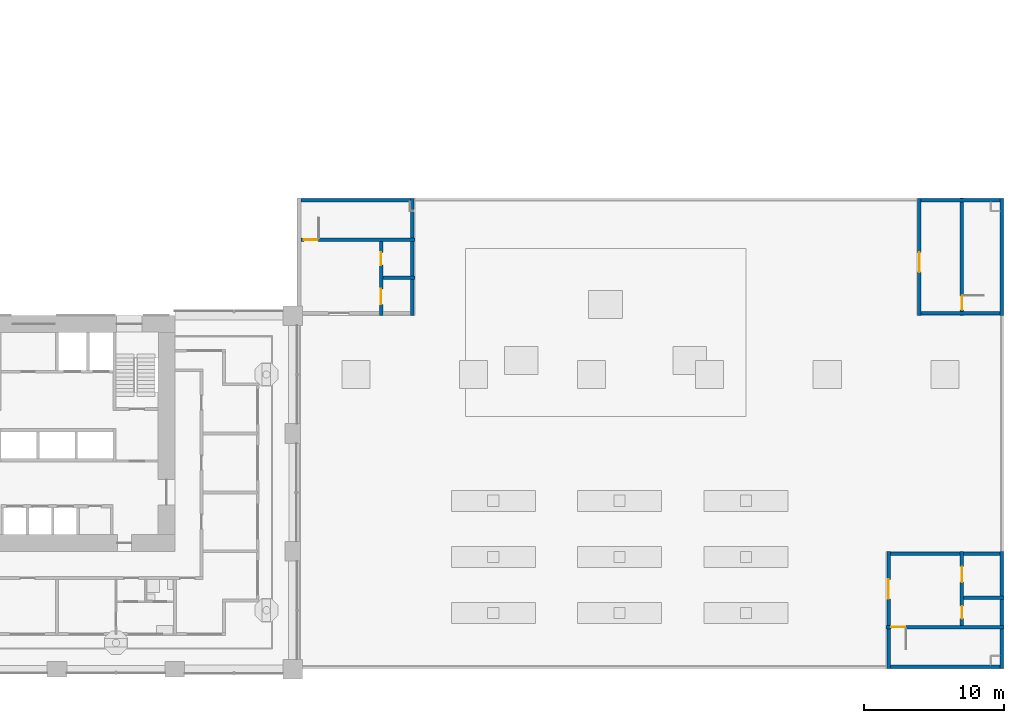
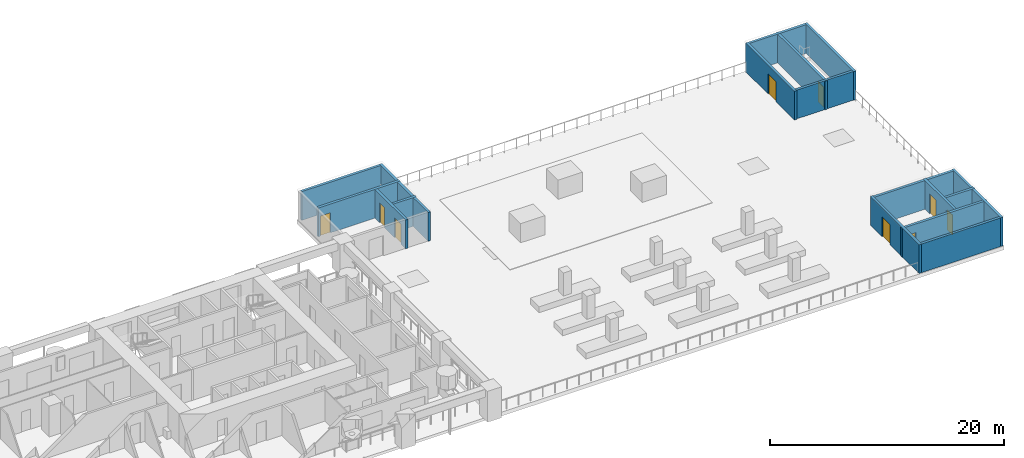
# One storey, part 11 of 23: 17 walls, 9 doors, 9 openings.
"""IFC4 building model written with IfcOpenShell, lengths in metres."""

from ifc_helpers import new_model, si_unit, direction, frame, frame_2d, origin, place, context, subcontext, project, spatial, rectangle, extrude, material, layer, layer_set, type_object, element, fill, save


model = new_model("IFC4")

# Units and contexts
model_context = context("Model", 3, precision=1e-05, world=origin(), true_north=direction((0.0, 1.0)))
body_context = subcontext(model_context, "Body", "Model", "MODEL_VIEW")
ifc_project = project(units=[si_unit("LENGTHUNIT", "METRE"), si_unit("AREAUNIT", "SQUARE_METRE"), si_unit("VOLUMEUNIT", "CUBIC_METRE"), si_unit("PLANEANGLEUNIT", "RADIAN"), si_unit("MASSUNIT", "GRAM", prefix="KILO")], contexts=[model_context])

# Site, building, storey
site_placement = place(None, origin())
site = spatial("IfcSite", under=ifc_project, at=site_placement, CompositionType="ELEMENT")
building_placement = place(site_placement, origin())
building = spatial("IfcBuilding", under=site, at=building_placement, Name="Vermilion Gate Residences", CompositionType="ELEMENT")
storey_placement = place(building_placement, frame((0.0, 0.0, 25.199951171875)))
storey = spatial("IfcBuildingStorey", under=building, at=storey_placement, Name="L04", CompositionType="ELEMENT", Elevation=25.199951171875)

# Wall
ifc_material_1 = material(Name="Concrete C45", Category="concrete")
ifc_layer = layer(ifc_material_1, 0.25)
ifc_layer_set = layer_set([ifc_layer], Name="RC CORE WALL 250 C45 (MARKET HALL)")
wall_type = type_object("IfcWallType", Name="RC CORE WALL 250 C45 (MARKET HALL)", PredefinedType="SHEAR", material=ifc_layer_set)
wall_1_placement = place(storey_placement, frame((109.800048828125, 0.175048828125, 0.0), z_axis=(0.0, 0.0, 1.0), x_axis=(1.0, 0.0, 0.0)))
element("IfcWall", 1, at=wall_1_placement, inside=storey, type_object=wall_type, Name="Core wall L04-1", PredefinedType="SHEAR", context=body_context, shape_type="SweptSolid", body=[
    extrude(rectangle(XDim=7.800048828125, YDim=0.25, at=frame_2d((3.89990234375, 0.0))), origin(), (0.0, 0.0, 1.0), 3.0),
])

# Wall, opening, door
wall_2_placement = place(storey_placement, frame((109.5, 3.0, 0.0), z_axis=(0.0, 0.0, 1.0), x_axis=(1.0, 0.0, 0.0)))
wall_2 = element("IfcWall", 2, at=wall_2_placement, inside=storey, type_object=wall_type, Name="Core wall L04-2", PredefinedType="SHEAR", context=body_context, shape_type="SweptSolid", body=[
    extrude(rectangle(XDim=8.39990234375, YDim=0.25, at=frame_2d((4.199951171875, 0.0))), origin(), (0.0, 0.0, 1.0), 3.0),
])
opening_1_placement = place(wall_2_placement, frame((0.35009765625, 0.0, 0.0)))
opening_1 = element("IfcOpeningElement", 3, at=opening_1_placement, cuts=wall_2, Name="Opening DH04005", PredefinedType="OPENING", context=body_context, shape_type="SweptSolid", body=[
    extrude(rectangle(XDim=1.0, YDim=2.10009765625, at=frame_2d((0.5, 1.050048828125))), frame((0.0, 0.135009765625, 0.0), z_axis=(0.0, -1.0, 0.0), x_axis=(1.0, 0.0, 0.0)), (0.0, 0.0, 1.0), 0.27001953125),
])
ifc_material_2 = material(Name="Steel", Category="steel")
door_type_1 = type_object("IfcDoorType", Name="STAIR DOOR FD60 1000 X 2100 (MARKET HALL)", OperationType="SINGLE_SWING_LEFT", PredefinedType="DOOR", material=ifc_material_2)
door_1_placement = place(opening_1_placement, frame((1.0, 0.0, 0.0), z_axis=(0.0, 0.0, 1.0), x_axis=(-1.0, 0.0, 0.0)))
door_1 = element("IfcDoor", 4, at=door_1_placement, inside=storey, type_object=door_type_1, Name="Stair door DH04005", OperationType="SINGLE_SWING_LEFT", OverallHeight=2.10009765625, OverallWidth=1.0, PredefinedType="DOOR", context=body_context, shape_type="SweptSolid", body=[
    extrude(rectangle(XDim=1.0, YDim=2.10009765625, at=frame_2d((0.5, 1.050048828125))), frame((0.0, 0.02490234375, 0.0), z_axis=(0.0, -1.0, 0.0), x_axis=(1.0, 0.0, 0.0)), (0.0, 0.0, 1.0), 0.050048828125),
])
fill(opening_1, door_1)

# Walls
wall_3_placement = place(storey_placement, frame((115.02490234375, 5.10009765625, 0.0), z_axis=(0.0, 0.0, 1.0), x_axis=(1.0, 0.0, 0.0)))
element("IfcWall", 5, at=wall_3_placement, inside=storey, type_object=wall_type, Name="Core wall L04-3", PredefinedType="SHEAR", context=body_context, shape_type="SweptSolid", body=[
    extrude(rectangle(XDim=2.875, YDim=0.25, at=frame_2d((1.4375, 0.0))), origin(), (0.0, 0.0, 1.0), 3.0),
])
wall_4_placement = place(storey_placement, frame((109.800048828125, 8.22509765625, 0.0), z_axis=(0.0, 0.0, 1.0), x_axis=(1.0, 0.0, 0.0)))
element("IfcWall", 6, at=wall_4_placement, inside=storey, type_object=wall_type, Name="Core wall L04-4", PredefinedType="SHEAR", context=body_context, shape_type="SweptSolid", body=[
    extrude(rectangle(XDim=7.800048828125, YDim=0.25, at=frame_2d((3.89990234375, 0.0))), origin(), (0.0, 0.0, 1.0), 3.0),
])
wall_5_placement = place(storey_placement, frame((112.0, 25.375, 0.0), z_axis=(0.0, 0.0, 1.0), x_axis=(1.0, 0.0, 0.0)))
element("IfcWall", 7, at=wall_5_placement, inside=storey, type_object=wall_type, Name="Core wall L04-6", PredefinedType="SHEAR", context=body_context, shape_type="SweptSolid", body=[
    extrude(rectangle(XDim=5.60009765625, YDim=0.25, at=frame_2d((2.800048828125, 0.0))), origin(), (0.0, 0.0, 1.0), 3.0),
])
wall_6_placement = place(storey_placement, frame((73.625, 27.89990234375, 0.0), z_axis=(0.0, 0.0, 1.0), x_axis=(1.0, 0.0, 0.0)))
element("IfcWall", 8, at=wall_6_placement, inside=storey, type_object=wall_type, Name="Core wall L04-7", PredefinedType="SHEAR", context=body_context, shape_type="SweptSolid", body=[
    extrude(rectangle(XDim=2.27490234375, YDim=0.25, at=frame_2d((1.137451171875, 0.0))), origin(), (0.0, 0.0, 1.0), 3.0),
])

# Wall, opening, door
wall_7_placement = place(storey_placement, frame((67.800048828125, 30.60009765625, 0.0), z_axis=(0.0, 0.0, 1.0), x_axis=(1.0, 0.0, 0.0)))
wall_7 = element("IfcWall", 9, at=wall_7_placement, inside=storey, type_object=wall_type, Name="Core wall L04-8", PredefinedType="SHEAR", context=body_context, shape_type="SweptSolid", body=[
    extrude(rectangle(XDim=8.099853515625, YDim=0.25, at=frame_2d((4.0498046875, 0.0))), origin(), (0.0, 0.0, 1.0), 3.0),
])
opening_2_placement = place(wall_7_placement, frame((0.199951171875, 0.0, 0.0)))
opening_2 = element("IfcOpeningElement", 10, at=opening_2_placement, cuts=wall_7, Name="Opening DH04002", PredefinedType="OPENING", context=body_context, shape_type="SweptSolid", body=[
    extrude(rectangle(XDim=1.0, YDim=2.10009765625, at=frame_2d((0.5, 1.050048828125))), frame((0.0, 0.135009765625, 0.0), z_axis=(0.0, -1.0, 0.0), x_axis=(1.0, 0.0, 0.0)), (0.0, 0.0, 1.0), 0.27001953125),
])
door_2_placement = place(opening_2_placement, origin())
door_2 = element("IfcDoor", 11, at=door_2_placement, inside=storey, type_object=door_type_1, Name="Stair door DH04002", OperationType="SINGLE_SWING_RIGHT", OverallHeight=2.10009765625, OverallWidth=1.0, PredefinedType="DOOR", context=body_context, shape_type="SweptSolid", body=[
    extrude(rectangle(XDim=1.0, YDim=2.10009765625, at=frame_2d((0.5, 1.050048828125))), frame((0.0, 0.02490234375, 0.0), z_axis=(0.0, -1.0, 0.0), x_axis=(1.0, 0.0, 0.0)), (0.0, 0.0, 1.0), 0.050048828125),
])
fill(opening_2, door_2)

# Walls
wall_8_placement = place(storey_placement, frame((67.800048828125, 33.425048828125, 0.0), z_axis=(0.0, 0.0, 1.0), x_axis=(1.0, 0.0, 0.0)))
element("IfcWall", 12, at=wall_8_placement, inside=storey, type_object=wall_type, Name="Core wall L04-9", PredefinedType="SHEAR", context=body_context, shape_type="SweptSolid", body=[
    extrude(rectangle(XDim=7.800048828125, YDim=0.25, at=frame_2d((3.89990234375, 0.0))), origin(), (0.0, 0.0, 1.0), 3.0),
])
wall_9_placement = place(storey_placement, frame((112.0, 33.425048828125, 0.0), z_axis=(0.0, 0.0, 1.0), x_axis=(1.0, 0.0, 0.0)))
element("IfcWall", 13, at=wall_9_placement, inside=storey, type_object=wall_type, Name="Core wall L04-10", PredefinedType="SHEAR", context=body_context, shape_type="SweptSolid", body=[
    extrude(rectangle(XDim=5.60009765625, YDim=0.25, at=frame_2d((2.800048828125, 0.0))), origin(), (0.0, 0.0, 1.0), 3.0),
])

# Wall, openings, doors
wall_10_placement = place(storey_placement, frame((73.5, 25.199951171875, 0.0), z_axis=(0.0, 0.0, 1.0), x_axis=(0.0, 1.0, 0.0)))
wall_10 = element("IfcWall", 14, at=wall_10_placement, inside=storey, type_object=wall_type, Name="Core wall L04-12", PredefinedType="SHEAR", context=body_context, shape_type="SweptSolid", body=[
    extrude(rectangle(XDim=5.275146484375, YDim=0.25, at=frame_2d((2.6376953125, 0.0))), origin(), (0.0, 0.0, 1.0), 3.0),
])
opening_3_placement = place(wall_10_placement, frame((0.800048828125, 0.0, 0.0)))
opening_3 = element("IfcOpeningElement", 15, at=opening_3_placement, cuts=wall_10, Name="Opening LD", PredefinedType="OPENING", context=body_context, shape_type="SweptSolid", body=[
    extrude(rectangle(XDim=1.10009765625, YDim=2.10009765625, at=frame_2d((0.550048828125, 1.050048828125))), frame((0.0, 0.135009765625, 0.0), z_axis=(0.0, -1.0, 0.0), x_axis=(1.0, 0.0, 0.0)), (0.0, 0.0, 1.0), 0.27001953125),
])
opening_4_placement = place(wall_10_placement, frame((3.60009765625, 0.0, 0.0)))
opening_4 = element("IfcOpeningElement", 16, at=opening_4_placement, cuts=wall_10, Name="Opening DH04004", PredefinedType="OPENING", context=body_context, shape_type="SweptSolid", body=[
    extrude(rectangle(XDim=0.89990234375, YDim=2.10009765625, at=frame_2d((0.449951171875, 1.050048828125))), frame((0.0, 0.135009765625, 0.0), z_axis=(0.0, -1.0, 0.0), x_axis=(1.0, 0.0, 0.0)), (0.0, 0.0, 1.0), 0.27001953125),
])
ifc_material_3 = material(Name="Steel", Category="steel")
door_type_2 = type_object("IfcDoorType", Name="FIRE DOOR FD60 900 X 2100 (MARKET HALL)", OperationType="SINGLE_SWING_LEFT", PredefinedType="DOOR", material=ifc_material_3)
door_3_placement = place(opening_4_placement, frame((0.89990234375, 0.0, 0.0), z_axis=(0.0, 0.0, 1.0), x_axis=(-1.0, 0.0, 0.0)))
door_3 = element("IfcDoor", 17, at=door_3_placement, inside=storey, type_object=door_type_2, Name="Lobby fire door DH04004", OperationType="SINGLE_SWING_RIGHT", OverallHeight=2.10009765625, OverallWidth=0.89990234375, PredefinedType="DOOR", context=body_context, shape_type="SweptSolid", body=[
    extrude(rectangle(XDim=0.89990234375, YDim=2.10009765625, at=frame_2d((0.449951171875, 1.050048828125))), frame((0.0, 0.02490234375, 0.0), z_axis=(0.0, -1.0, 0.0), x_axis=(1.0, 0.0, 0.0)), (0.0, 0.0, 1.0), 0.050048828125),
])
fill(opening_4, door_3)
ifc_material_4 = material(Name="Stainless steel", Category="steel")
door_type_3 = type_object("IfcDoorType", Name="LIFT LANDING DOOR 1100 X 2100 (MARKET HALL)", OperationType="SLIDING_TO_LEFT", PredefinedType="DOOR", material=ifc_material_4)
door_4_placement = place(opening_3_placement, origin())
door_4 = element("IfcDoor", 18, at=door_4_placement, inside=storey, type_object=door_type_3, Name="Lift landing door L04-3", OperationType="SLIDING_TO_LEFT", OverallHeight=2.10009765625, OverallWidth=1.10009765625, PredefinedType="DOOR", context=body_context, shape_type="SweptSolid", body=[
    extrude(rectangle(XDim=1.10009765625, YDim=2.10009765625, at=frame_2d((0.550048828125, 1.050048828125))), frame((0.0, 0.02490234375, 0.0), z_axis=(0.0, -1.0, 0.0), x_axis=(1.0, 0.0, 0.0)), (0.0, 0.0, 1.0), 0.050048828125),
])
fill(opening_3, door_4)

# Wall
wall_11_placement = place(storey_placement, frame((75.72509765625, 25.199951171875, 0.0), z_axis=(0.0, 0.0, 1.0), x_axis=(0.0, 1.0, 0.0)))
element("IfcWall", 19, at=wall_11_placement, inside=storey, type_object=wall_type, Name="Core wall L04-13", PredefinedType="SHEAR", context=body_context, shape_type="SweptSolid", body=[
    extrude(rectangle(XDim=8.35009765625, YDim=0.25, at=frame_2d((4.175048828125, 0.0))), origin(), (0.0, 0.0, 1.0), 3.0),
])

# Wall, opening, door
wall_12_placement = place(storey_placement, frame((109.675048828125, 0.050048828125, 0.0), z_axis=(0.0, 0.0, 1.0), x_axis=(0.0, 1.0, 0.0)))
wall_12 = element("IfcWall", 20, at=wall_12_placement, inside=storey, type_object=wall_type, Name="Core wall L04-14", PredefinedType="SHEAR", context=body_context, shape_type="SweptSolid", body=[
    extrude(rectangle(XDim=8.349853515625, YDim=0.25, at=frame_2d((4.1748046875, 0.0))), origin(), (0.0, 0.0, 1.0), 3.0),
])
opening_5_placement = place(wall_12_placement, frame((4.949951171875, 0.0, 0.0)))
opening_5 = element("IfcOpeningElement", 21, at=opening_5_placement, cuts=wall_12, Name="Opening DH04009", PredefinedType="OPENING", context=body_context, shape_type="SweptSolid", body=[
    extrude(rectangle(XDim=1.39990234375, YDim=2.10009765625, at=frame_2d((0.699951171875, 1.050048828125))), frame((0.0, 0.135009765625, 0.0), z_axis=(0.0, -1.0, 0.0), x_axis=(1.0, 0.0, 0.0)), (0.0, 0.0, 1.0), 0.27001953125),
])
ifc_material_5 = material(Name="Steel", Category="steel")
door_type_4 = type_object("IfcDoorType", Name="EXIT DOOR FD60 1400 X 2100 DOUBLE (MARKET HALL)", OperationType="DOUBLE_DOOR_SINGLE_SWING", PredefinedType="DOOR", material=ifc_material_5)
door_5_placement = place(opening_5_placement, origin())
door_5 = element("IfcDoor", 22, at=door_5_placement, inside=storey, type_object=door_type_4, Name="Exit door DH04009", OperationType="DOUBLE_DOOR_SINGLE_SWING", OverallHeight=2.10009765625, OverallWidth=1.39990234375, PredefinedType="DOOR", context=body_context, shape_type="SweptSolid", body=[
    extrude(rectangle(XDim=1.39990234375, YDim=2.10009765625, at=frame_2d((0.699951171875, 1.050048828125))), frame((0.0, 0.02490234375, 0.0), z_axis=(0.0, -1.0, 0.0), x_axis=(1.0, 0.0, 0.0)), (0.0, 0.0, 1.0), 0.050048828125),
])
fill(opening_5, door_5)

wall_13_placement = place(storey_placement, frame((111.875, 25.199951171875, 0.0), z_axis=(0.0, 0.0, 1.0), x_axis=(0.0, 1.0, 0.0)))
wall_13 = element("IfcWall", 23, at=wall_13_placement, inside=storey, type_object=wall_type, Name="Core wall L04-15", PredefinedType="SHEAR", context=body_context, shape_type="SweptSolid", body=[
    extrude(rectangle(XDim=8.35009765625, YDim=0.25, at=frame_2d((4.175048828125, 0.0))), origin(), (0.0, 0.0, 1.0), 3.0),
])
opening_6_placement = place(wall_13_placement, frame((3.10009765625, 0.0, 0.0)))
opening_6 = element("IfcOpeningElement", 24, at=opening_6_placement, cuts=wall_13, Name="Opening DH04010", PredefinedType="OPENING", context=body_context, shape_type="SweptSolid", body=[
    extrude(rectangle(XDim=1.39990234375, YDim=2.10009765625, at=frame_2d((0.699951171875, 1.050048828125))), frame((0.0, 0.135009765625, 0.0), z_axis=(0.0, -1.0, 0.0), x_axis=(1.0, 0.0, 0.0)), (0.0, 0.0, 1.0), 0.27001953125),
])
door_6_placement = place(opening_6_placement, origin())
door_6 = element("IfcDoor", 25, at=door_6_placement, inside=storey, type_object=door_type_4, Name="Exit door DH04010", OperationType="DOUBLE_DOOR_SINGLE_SWING", OverallHeight=2.10009765625, OverallWidth=1.39990234375, PredefinedType="DOOR", context=body_context, shape_type="SweptSolid", body=[
    extrude(rectangle(XDim=1.39990234375, YDim=2.10009765625, at=frame_2d((0.699951171875, 1.050048828125))), frame((0.0, 0.02490234375, 0.0), z_axis=(0.0, -1.0, 0.0), x_axis=(1.0, 0.0, 0.0)), (0.0, 0.0, 1.0), 0.050048828125),
])
fill(opening_6, door_6)

# Wall, openings, doors
wall_14_placement = place(storey_placement, frame((114.89990234375, 3.125, 0.0), z_axis=(0.0, 0.0, 1.0), x_axis=(0.0, 1.0, 0.0)))
wall_14 = element("IfcWall", 26, at=wall_14_placement, inside=storey, type_object=wall_type, Name="Core wall L04-16", PredefinedType="SHEAR", context=body_context, shape_type="SweptSolid", body=[
    extrude(rectangle(XDim=5.27490234375, YDim=0.25, at=frame_2d((2.637451171875, 0.0))), origin(), (0.0, 0.0, 1.0), 3.0),
])
opening_7_placement = place(wall_14_placement, frame((3.074951171875, 0.0, 0.0)))
opening_7 = element("IfcOpeningElement", 27, at=opening_7_placement, cuts=wall_14, Name="Opening LD", PredefinedType="OPENING", context=body_context, shape_type="SweptSolid", body=[
    extrude(rectangle(XDim=1.10009765625, YDim=2.10009765625, at=frame_2d((0.550048828125, 1.050048828125))), frame((0.0, 0.135009765625, 0.0), z_axis=(0.0, -1.0, 0.0), x_axis=(1.0, 0.0, 0.0)), (0.0, 0.0, 1.0), 0.27001953125),
])
opening_8_placement = place(wall_14_placement, frame((0.47509765625, 0.0, 0.0)))
opening_8 = element("IfcOpeningElement", 28, at=opening_8_placement, cuts=wall_14, Name="Opening DH04007", PredefinedType="OPENING", context=body_context, shape_type="SweptSolid", body=[
    extrude(rectangle(XDim=0.89990234375, YDim=2.10009765625, at=frame_2d((0.449951171875, 1.050048828125))), frame((0.0, 0.135009765625, 0.0), z_axis=(0.0, -1.0, 0.0), x_axis=(1.0, 0.0, 0.0)), (0.0, 0.0, 1.0), 0.27001953125),
])
door_7_placement = place(opening_8_placement, frame((0.89990234375, 0.0, 0.0), z_axis=(0.0, 0.0, 1.0), x_axis=(-1.0, 0.0, 0.0)))
door_7 = element("IfcDoor", 29, at=door_7_placement, inside=storey, type_object=door_type_2, Name="Lobby fire door DH04007", OperationType="SINGLE_SWING_LEFT", OverallHeight=2.10009765625, OverallWidth=0.89990234375, PredefinedType="DOOR", context=body_context, shape_type="SweptSolid", body=[
    extrude(rectangle(XDim=0.89990234375, YDim=2.10009765625, at=frame_2d((0.449951171875, 1.050048828125))), frame((0.0, 0.02490234375, 0.0), z_axis=(0.0, -1.0, 0.0), x_axis=(1.0, 0.0, 0.0)), (0.0, 0.0, 1.0), 0.050048828125),
])
fill(opening_8, door_7)
door_8_placement = place(opening_7_placement, origin())
door_8 = element("IfcDoor", 30, at=door_8_placement, inside=storey, type_object=door_type_3, Name="Lift landing door L04-6", OperationType="SLIDING_TO_LEFT", OverallHeight=2.10009765625, OverallWidth=1.10009765625, PredefinedType="DOOR", context=body_context, shape_type="SweptSolid", body=[
    extrude(rectangle(XDim=1.10009765625, YDim=2.10009765625, at=frame_2d((0.550048828125, 1.050048828125))), frame((0.0, 0.02490234375, 0.0), z_axis=(0.0, -1.0, 0.0), x_axis=(1.0, 0.0, 0.0)), (0.0, 0.0, 1.0), 0.050048828125),
])
fill(opening_7, door_8)

# Wall, opening, door
wall_15_placement = place(storey_placement, frame((114.89990234375, 25.199951171875, 0.0), z_axis=(0.0, 0.0, 1.0), x_axis=(0.0, 1.0, 0.0)))
wall_15 = element("IfcWall", 31, at=wall_15_placement, inside=storey, type_object=wall_type, Name="Core wall L04-17", PredefinedType="SHEAR", context=body_context, shape_type="SweptSolid", body=[
    extrude(rectangle(XDim=8.400146484375, YDim=0.25, at=frame_2d((4.2001953125, 0.0))), origin(), (0.0, 0.0, 1.0), 3.0),
])
opening_9_placement = place(wall_15_placement, frame((0.39990234375, 0.0, 0.0)))
opening_9 = element("IfcOpeningElement", 32, at=opening_9_placement, cuts=wall_15, Name="Opening DH04001", PredefinedType="OPENING", context=body_context, shape_type="SweptSolid", body=[
    extrude(rectangle(XDim=1.0, YDim=2.10009765625, at=frame_2d((0.5, 1.050048828125))), frame((0.0, 0.135009765625, 0.0), z_axis=(0.0, -1.0, 0.0), x_axis=(1.0, 0.0, 0.0)), (0.0, 0.0, 1.0), 0.27001953125),
])
door_9_placement = place(opening_9_placement, frame((1.0, 0.0, 0.0), z_axis=(0.0, 0.0, 1.0), x_axis=(-1.0, 0.0, 0.0)))
door_9 = element("IfcDoor", 33, at=door_9_placement, inside=storey, type_object=door_type_1, Name="Stair door DH04001", OperationType="SINGLE_SWING_RIGHT", OverallHeight=2.10009765625, OverallWidth=1.0, PredefinedType="DOOR", context=body_context, shape_type="SweptSolid", body=[
    extrude(rectangle(XDim=1.0, YDim=2.10009765625, at=frame_2d((0.5, 1.050048828125))), frame((0.0, 0.02490234375, 0.0), z_axis=(0.0, -1.0, 0.0), x_axis=(1.0, 0.0, 0.0)), (0.0, 0.0, 1.0), 0.050048828125),
])
fill(opening_9, door_9)

# Walls
wall_16_placement = place(storey_placement, frame((117.72509765625, 0.050048828125, 0.0), z_axis=(0.0, 0.0, 1.0), x_axis=(0.0, 1.0, 0.0)))
element("IfcWall", 34, at=wall_16_placement, inside=storey, type_object=wall_type, Name="Core wall L04-18", PredefinedType="SHEAR", context=body_context, shape_type="SweptSolid", body=[
    extrude(rectangle(XDim=8.349853515625, YDim=0.25, at=frame_2d((4.1748046875, 0.0))), origin(), (0.0, 0.0, 1.0), 3.0),
])
wall_17_placement = place(storey_placement, frame((117.72509765625, 25.199951171875, 0.0), z_axis=(0.0, 0.0, 1.0), x_axis=(0.0, 1.0, 0.0)))
element("IfcWall", 35, at=wall_17_placement, inside=storey, type_object=wall_type, Name="Core wall L04-19", PredefinedType="SHEAR", context=body_context, shape_type="SweptSolid", body=[
    extrude(rectangle(XDim=8.35009765625, YDim=0.25, at=frame_2d((4.175048828125, 0.0))), origin(), (0.0, 0.0, 1.0), 3.0),
])

save(model, "model.ifc")
